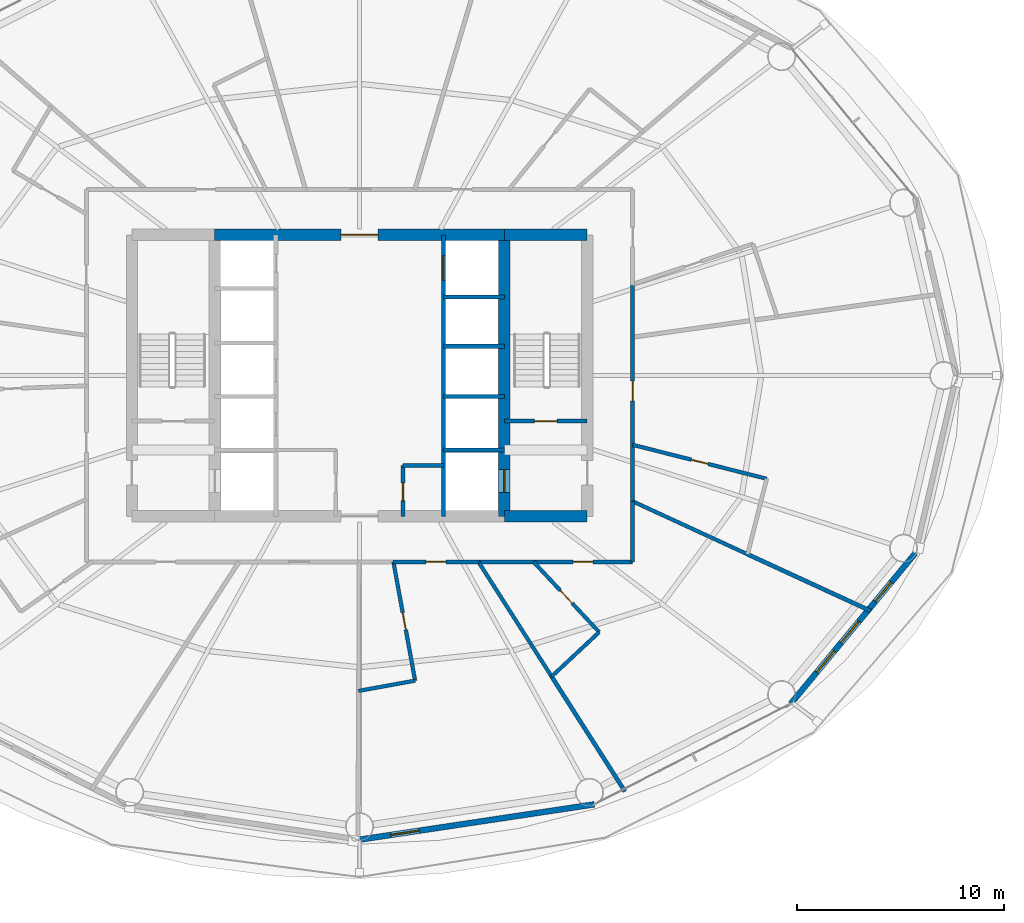
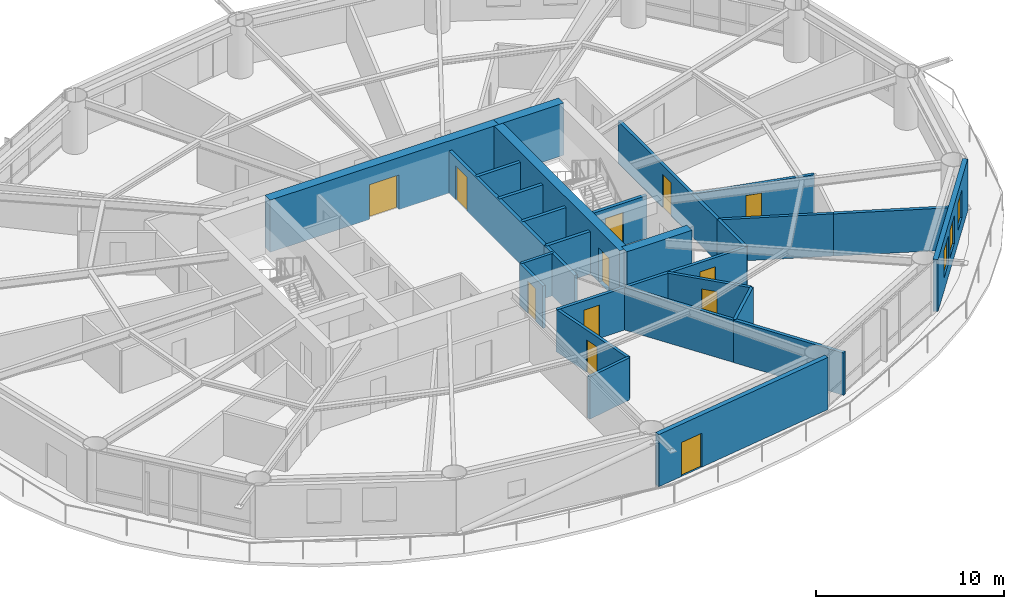
# One storey, part 19 of 24: 28 walls, 12 doors, 3 windows, 15 openings.
"""IFC4 building model written with IfcOpenShell, lengths in metres."""

from ifc_helpers import new_model, si_unit, direction, frame, frame_2d, origin, place, context, subcontext, project, spatial, rectangle, extrude, material, layer, layer_set, type_object, element, fill, save


model = new_model("IFC4")

# Units and contexts
model_context = context("Model", 3, precision=1e-05, world=origin(), true_north=direction((0.0, 1.0)))
body_context = subcontext(model_context, "Body", "Model", "MODEL_VIEW")
ifc_project = project(units=[si_unit("LENGTHUNIT", "METRE"), si_unit("AREAUNIT", "SQUARE_METRE"), si_unit("VOLUMEUNIT", "CUBIC_METRE"), si_unit("PLANEANGLEUNIT", "RADIAN"), si_unit("MASSUNIT", "GRAM", prefix="KILO")], contexts=[model_context])

# Site, building, storey
site_placement = place(None, origin())
site = spatial("IfcSite", under=ifc_project, at=site_placement, CompositionType="ELEMENT")
building_placement = place(site_placement, origin())
building = spatial("IfcBuilding", under=site, at=building_placement, Name="Sarneth Arch Tower", CompositionType="ELEMENT")
storey_placement = place(building_placement, frame((0.0, 0.0, 120.0)))
storey = spatial("IfcBuildingStorey", under=building, at=storey_placement, Name="L30", CompositionType="ELEMENT", Elevation=120.0)

# Wall
ifc_material_1 = material(Name="Concrete C60/75", Category="concrete")
ifc_layer_1 = layer(ifc_material_1, 0.550048828125)
ifc_layer_set_1 = layer_set([ifc_layer_1], Name="Concrete C60/75")
wall_type_1 = type_object("IfcWallType", Name="WALL-CORE-550", PredefinedType="SHEAR", material=ifc_layer_set_1)
wall_1_placement = place(storey_placement, frame((55.0, 35.199951171875, 0.0), z_axis=(0.0, 0.0, 1.0), x_axis=(1.0, 0.0, 0.0)))
element("IfcWall", 1, at=wall_1_placement, inside=storey, type_object=wall_type_1, Name="L30 Core shear wall S-E", PredefinedType="SHEAR", context=body_context, shape_type="SweptSolid", body=[
    extrude(rectangle(XDim=4.0, YDim=0.550048828125, at=frame_2d((2.0, 0.0))), origin(), (0.0, 0.0, 1.0), 3.3798828125),
])

# Wall, opening, door
wall_2_placement = place(storey_placement, frame((41.0, 48.800048828125, 0.0), z_axis=(0.0, 0.0, 1.0), x_axis=(1.0, 0.0, 0.0)))
wall_2 = element("IfcWall", 2, at=wall_2_placement, inside=storey, type_object=wall_type_1, Name="L30 Core shear wall N-M", PredefinedType="SHEAR", context=body_context, shape_type="SweptSolid", body=[
    extrude(rectangle(XDim=14.0, YDim=0.550048828125, at=frame_2d((7.0, 0.0))), origin(), (0.0, 0.0, 1.0), 3.3798828125),
])
opening_1_placement = place(wall_2_placement, frame((6.10009765625, 0.0, 0.0)))
opening_1 = element("IfcOpeningElement", 3, at=opening_1_placement, cuts=wall_2, Name="Opening FD-01", PredefinedType="OPENING", context=body_context, shape_type="SweptSolid", body=[
    extrude(rectangle(XDim=1.800048828125, YDim=2.25, at=frame_2d((0.89990234375, 1.125))), frame((0.0, 0.284912109375, 0.0), z_axis=(0.0, -1.0, 0.0), x_axis=(1.0, 0.0, 0.0)), (0.0, 0.0, 1.0), 0.570068359375),
])
ifc_material_2 = material(Name="Galvanised Steel S275 fire door set", Category="steel")
door_type_1 = type_object("IfcDoorType", Name="DR-FD90-1800", OperationType="DOUBLE_DOOR_SINGLE_SWING", PredefinedType="DOOR", material=ifc_material_2)
door_1_placement = place(opening_1_placement, origin())
door_1 = element("IfcDoor", 4, at=door_1_placement, inside=storey, type_object=door_type_1, Name="L30 Central lift lobby north door", OperationType="DOUBLE_DOOR_SINGLE_SWING", OverallHeight=2.25, OverallWidth=1.800048828125, PredefinedType="DOOR", context=body_context, shape_type="SweptSolid", body=[
    extrude(rectangle(XDim=1.800048828125, YDim=2.25, at=frame_2d((0.89990234375, 1.125))), frame((0.0, 0.02490234375, 0.0), z_axis=(0.0, -1.0, 0.0), x_axis=(1.0, 0.0, 0.0)), (0.0, 0.0, 1.0), 0.050048828125),
])
fill(opening_1, door_1)

# Wall
wall_3_placement = place(storey_placement, frame((55.0, 48.800048828125, 0.0), z_axis=(0.0, 0.0, 1.0), x_axis=(1.0, 0.0, 0.0)))
element("IfcWall", 5, at=wall_3_placement, inside=storey, type_object=wall_type_1, Name="L30 Core shear wall N-E", PredefinedType="SHEAR", context=body_context, shape_type="SweptSolid", body=[
    extrude(rectangle(XDim=4.0, YDim=0.550048828125, at=frame_2d((2.0, 0.0))), origin(), (0.0, 0.0, 1.0), 3.3798828125),
])

# Wall, opening, door
wall_4_placement = place(storey_placement, frame((55.0, 35.199951171875, 0.0), z_axis=(0.0, 0.0, 1.0), x_axis=(0.0, 1.0, 0.0)))
wall_4 = element("IfcWall", 6, at=wall_4_placement, inside=storey, type_object=wall_type_1, Name="L30 Core shear wall WEB-E", PredefinedType="SHEAR", context=body_context, shape_type="SweptSolid", body=[
    extrude(rectangle(XDim=13.60009765625, YDim=0.550048828125, at=frame_2d((6.800048828125, 0.0))), origin(), (0.0, 0.0, 1.0), 3.3798828125),
])
opening_2_placement = place(wall_4_placement, frame((1.14990234375, 0.0, 0.0)))
opening_2 = element("IfcOpeningElement", 7, at=opening_2_placement, cuts=wall_4, Name="Opening LD-1", PredefinedType="OPENING", context=body_context, shape_type="SweptSolid", body=[
    extrude(rectangle(XDim=1.10009765625, YDim=2.199951171875, at=frame_2d((0.550048828125, 1.10009765625))), frame((0.0, 0.284912109375, 0.0), z_axis=(0.0, -1.0, 0.0), x_axis=(1.0, 0.0, 0.0)), (0.0, 0.0, 1.0), 0.570068359375),
])
ifc_material_3 = material(Name="Brushed Stainless Steel 304 lift landing door", Category="steel")
door_type_2 = type_object("IfcDoorType", Name="DR-LIFT-SLIDE-1100", OperationType="SLIDING_TO_LEFT", PredefinedType="DOOR", material=ifc_material_3)
door_2_placement = place(opening_2_placement, origin())
door_2 = element("IfcDoor", 8, at=door_2_placement, inside=storey, type_object=door_type_2, Name="L30 Firefighting lift landing door FL-2", OperationType="SLIDING_TO_RIGHT", OverallHeight=2.199951171875, OverallWidth=1.10009765625, PredefinedType="DOOR", context=body_context, shape_type="SweptSolid", body=[
    extrude(rectangle(XDim=1.10009765625, YDim=2.199951171875, at=frame_2d((0.550048828125, 1.10009765625))), frame((0.0, 0.02490234375, 0.0), z_axis=(0.0, -1.0, 0.0), x_axis=(1.0, 0.0, 0.0)), (0.0, 0.0, 1.0), 0.050048828125),
])
fill(opening_2, door_2)

ifc_material_4 = material(Name="Double steel-stud corridor fire wall", Category="steel")
ifc_layer_2 = layer(ifc_material_4, 0.18994140625)
ifc_layer_set_2 = layer_set([ifc_layer_2], Name="Double steel-stud corridor fire wall")
wall_type_2 = type_object("IfcWallType", Name="WALL-CORR-190", PredefinedType="PARTITIONING", material=ifc_layer_set_2)
wall_5_placement = place(storey_placement, frame((61.199951171875, 46.450439453125, 0.0), z_axis=(0.0, 0.0, 1.0), x_axis=(0.0, -1.0, 0.0)))
wall_5 = element("IfcWall", 9, at=wall_5_placement, inside=storey, type_object=wall_type_2, Name="L30 Interior partition W-L30-TP-023", PredefinedType="PARTITIONING", context=body_context, shape_type="SweptSolid", body=[
    extrude(rectangle(XDim=10.564453125, YDim=0.18994140625, at=frame_2d((5.2822265625, 0.0))), origin(), (0.0, 0.0, 1.0), 2.739990234375),
])
opening_3_placement = place(wall_5_placement, frame((4.7216796875, 0.0, 0.0)))
opening_3 = element("IfcOpeningElement", 10, at=opening_3_placement, cuts=wall_5, Name="Opening FD-09", PredefinedType="OPENING", context=body_context, shape_type="SweptSolid", body=[
    extrude(rectangle(XDim=0.949951171875, YDim=2.14990234375, at=frame_2d((0.47509765625, 1.074951171875))), frame((0.0, 0.10498046875, 0.0), z_axis=(0.0, -1.0, 0.0), x_axis=(1.0, 0.0, 0.0)), (0.0, 0.0, 1.0), 0.2099609375),
])
ifc_material_5 = material(Name="Hardwood timber hotel entrance fire door", Category="wood")
door_type_3 = type_object("IfcDoorType", Name="DR-FD60-950", OperationType="SINGLE_SWING_RIGHT", PredefinedType="DOOR", material=ifc_material_5)
door_3_placement = place(opening_3_placement, origin())
door_3 = element("IfcDoor", 11, at=door_3_placement, inside=storey, type_object=door_type_3, Name="L30 Interior door DR-L30-KEY-11", OperationType="SINGLE_SWING_LEFT", OverallHeight=2.14990234375, OverallWidth=0.949951171875, PredefinedType="DOOR", context=body_context, shape_type="SweptSolid", body=[
    extrude(rectangle(XDim=0.949951171875, YDim=2.14990234375, at=frame_2d((0.47509765625, 1.074951171875))), frame((0.0, 0.02490234375, 0.0), z_axis=(0.0, -1.0, 0.0), x_axis=(1.0, 0.0, 0.0)), (0.0, 0.0, 1.0), 0.050048828125),
])
fill(opening_3, door_3)

wall_6_placement = place(storey_placement, frame((53.705810546875, 33.0, 0.0), z_axis=(0.0, 0.0, 1.0), x_axis=(1.0, 0.0, 0.0)))
wall_6 = element("IfcWall", 12, at=wall_6_placement, inside=storey, type_object=wall_type_2, Name="L30 Interior partition W-L30-TP-020", PredefinedType="PARTITIONING", context=body_context, shape_type="SweptSolid", body=[
    extrude(rectangle(XDim=7.494140625, YDim=0.18994140625, at=frame_2d((3.7470703125, 0.0))), origin(), (0.0, 0.0, 1.0), 2.739990234375),
])
opening_4_placement = place(wall_6_placement, frame((4.622314453125, 0.0, 0.0)))
opening_4 = element("IfcOpeningElement", 13, at=opening_4_placement, cuts=wall_6, Name="Opening FD-09", PredefinedType="OPENING", context=body_context, shape_type="SweptSolid", body=[
    extrude(rectangle(XDim=0.949951171875, YDim=2.14990234375, at=frame_2d((0.47509765625, 1.074951171875))), frame((0.0, 0.10498046875, 0.0), z_axis=(0.0, -1.0, 0.0), x_axis=(1.0, 0.0, 0.0)), (0.0, 0.0, 1.0), 0.2099609375),
])
door_4_placement = place(opening_4_placement, origin())
door_4 = element("IfcDoor", 14, at=door_4_placement, inside=storey, type_object=door_type_3, Name="L30 Interior door DR-L30-KEY-10", OperationType="SINGLE_SWING_RIGHT", OverallHeight=2.14990234375, OverallWidth=0.949951171875, PredefinedType="DOOR", context=body_context, shape_type="SweptSolid", body=[
    extrude(rectangle(XDim=0.949951171875, YDim=2.14990234375, at=frame_2d((0.47509765625, 1.074951171875))), frame((0.0, 0.02490234375, 0.0), z_axis=(0.0, -1.0, 0.0), x_axis=(1.0, 0.0, 0.0)), (0.0, 0.0, 1.0), 0.050048828125),
])
fill(opening_4, door_4)

wall_7_placement = place(storey_placement, frame((53.78173828125, 33.0, 0.0), z_axis=(0.0, 0.0, 1.0), x_axis=(-1.0, 0.0, 0.0)))
wall_7 = element("IfcWall", 15, at=wall_7_placement, inside=storey, type_object=wall_type_2, Name="L30 Interior partition W-L30-TP-018", PredefinedType="PARTITIONING", context=body_context, shape_type="SweptSolid", body=[
    extrude(rectangle(XDim=4.17578125, YDim=0.18994140625, at=frame_2d((2.087890625, 0.0))), origin(), (0.0, 0.0, 1.0), 2.739990234375),
])
opening_5_placement = place(wall_7_placement, frame((1.61279296875, 0.0, 0.0)))
opening_5 = element("IfcOpeningElement", 16, at=opening_5_placement, cuts=wall_7, Name="Opening FD-09", PredefinedType="OPENING", context=body_context, shape_type="SweptSolid", body=[
    extrude(rectangle(XDim=0.949951171875, YDim=2.14990234375, at=frame_2d((0.47509765625, 1.074951171875))), frame((0.0, 0.10498046875, 0.0), z_axis=(0.0, -1.0, 0.0), x_axis=(1.0, 0.0, 0.0)), (0.0, 0.0, 1.0), 0.2099609375),
])
door_5_placement = place(opening_5_placement, origin())
door_5 = element("IfcDoor", 17, at=door_5_placement, inside=storey, type_object=door_type_3, Name="L30 Interior door DR-L30-KEY-09", OperationType="SINGLE_SWING_RIGHT", OverallHeight=2.14990234375, OverallWidth=0.949951171875, PredefinedType="DOOR", context=body_context, shape_type="SweptSolid", body=[
    extrude(rectangle(XDim=0.949951171875, YDim=2.14990234375, at=frame_2d((0.47509765625, 1.074951171875))), frame((0.0, 0.02490234375, 0.0), z_axis=(0.0, -1.0, 0.0), x_axis=(1.0, 0.0, 0.0)), (0.0, 0.0, 1.0), 0.050048828125),
])
fill(opening_5, door_5)

# Wall
wall_8_placement = place(storey_placement, frame((61.199951171875, 33.0, 0.0), z_axis=(0.0, 0.0, 1.0), x_axis=(0.0, 1.0, 0.0)))
element("IfcWall", 18, at=wall_8_placement, inside=storey, type_object=wall_type_2, Name="L30 Interior partition W-L30-TP-021", PredefinedType="PARTITIONING", context=body_context, shape_type="SweptSolid", body=[
    extrude(rectangle(XDim=2.921142578125, YDim=0.18994140625, at=frame_2d((1.46044921875, 0.0))), origin(), (0.0, 0.0, 1.0), 2.739990234375),
])

# Wall, opening, door
ifc_material_6 = material(Name="Extruded terracotta rainscreen on Concrete C40/50 backing", Category="masonry")
ifc_layer_3 = layer(ifc_material_6, 0.280029296875)
ifc_layer_set_3 = layer_set([ifc_layer_3], Name="Extruded terracotta rainscreen on Concrete C40/50 backing")
wall_type_3 = type_object("IfcWallType", Name="WALL-EXT-TERRA-280", PredefinedType="SOLIDWALL", material=ifc_layer_set_3)
wall_9_placement = place(storey_placement, frame((48.0, 19.570068359375, 0.0), z_axis=(0.0, 0.0, 1.0), x_axis=(0.988877774656, 0.148730450117, 0.0)))
wall_9 = element("IfcWall", 19, at=wall_9_placement, inside=storey, type_object=wall_type_3, Name="L30 Terracotta perimeter wall 13", PredefinedType="SOLIDWALL", context=body_context, shape_type="SweptSolid", body=[
    extrude(rectangle(XDim=11.47900390625, YDim=0.280029296875, at=frame_2d((5.739501953125, 0.0))), origin(), (0.0, 0.0, 1.0), 3.3798828125),
])
opening_6_placement = place(wall_9_placement, frame((1.523681640625, 0.0, 0.0)))
opening_6 = element("IfcOpeningElement", 20, at=opening_6_placement, cuts=wall_9, Name="Opening BD-2", PredefinedType="OPENING", context=body_context, shape_type="SweptSolid", body=[
    extrude(rectangle(XDim=1.39990234375, YDim=2.199951171875, at=frame_2d((0.699951171875, 1.10009765625))), frame((0.0, 0.14990234375, 0.0), z_axis=(0.0, -1.0, 0.0), x_axis=(1.0, 0.0, 0.0)), (0.0, 0.0, 1.0), 0.300048828125),
])
ifc_material_7 = material(Name="Thermally broken Aluminium 6063-T6 and laminated safety glass", Category="aluminium")
door_type_4 = type_object("IfcDoorType", Name="DR-BALC-GLZ-1400", OperationType="SINGLE_SWING_LEFT", PredefinedType="DOOR", material=ifc_material_7)
door_6_placement = place(opening_6_placement, origin())
door_6 = element("IfcDoor", 21, at=door_6_placement, inside=storey, type_object=door_type_4, Name="L30 Balcony glazed door 13", OperationType="SINGLE_SWING_LEFT", OverallHeight=2.199951171875, OverallWidth=1.39990234375, PredefinedType="DOOR", context=body_context, shape_type="SweptSolid", body=[
    extrude(rectangle(XDim=1.39990234375, YDim=2.199951171875, at=frame_2d((0.699951171875, 1.10009765625))), frame((0.0, 0.02490234375, 0.0), z_axis=(0.0, -1.0, 0.0), x_axis=(1.0, 0.0, 0.0)), (0.0, 0.0, 1.0), 0.050048828125),
])
fill(opening_6, door_6)

# Wall, openings, windows
wall_10_placement = place(storey_placement, frame((68.840087890625, 26.1396484375, 0.0), z_axis=(0.0, 0.0, 1.0), x_axis=(0.637505817448, 0.770445541696, 0.0)))
wall_10 = element("IfcWall", 22, at=wall_10_placement, inside=storey, type_object=wall_type_3, Name="L30 Terracotta perimeter wall 15", PredefinedType="SOLIDWALL", context=body_context, shape_type="SweptSolid", body=[
    extrude(rectangle(XDim=9.445068359375, YDim=0.280029296875, at=frame_2d((4.72265625, 0.0))), origin(), (0.0, 0.0, 1.0), 3.3798828125),
])
opening_7_placement = place(wall_10_placement, frame((1.963134765625, 0.0, 0.85009765625)))
opening_7 = element("IfcOpeningElement", 23, at=opening_7_placement, cuts=wall_10, Name="Opening W-08", PredefinedType="OPENING", context=body_context, shape_type="SweptSolid", body=[
    extrude(rectangle(XDim=1.35009765625, YDim=1.800048828125, at=frame_2d((0.675048828125, 0.89990234375))), frame((0.0, 0.14990234375, 0.0), z_axis=(0.0, -1.0, 0.0), x_axis=(1.0, 0.0, 0.0)), (0.0, 0.0, 1.0), 0.300048828125),
])
opening_8_placement = place(wall_10_placement, frame((3.81494140625, 0.0, 0.85009765625)))
opening_8 = element("IfcOpeningElement", 24, at=opening_8_placement, cuts=wall_10, Name="Opening W-08", PredefinedType="OPENING", context=body_context, shape_type="SweptSolid", body=[
    extrude(rectangle(XDim=1.35009765625, YDim=1.800048828125, at=frame_2d((0.675048828125, 0.89990234375))), frame((0.0, 0.14990234375, 0.0), z_axis=(0.0, -1.0, 0.0), x_axis=(1.0, 0.0, 0.0)), (0.0, 0.0, 1.0), 0.300048828125),
])
opening_9_placement = place(wall_10_placement, frame((6.4169921875, 0.0, 0.85009765625)))
opening_9 = element("IfcOpeningElement", 25, at=opening_9_placement, cuts=wall_10, Name="Opening W-09", PredefinedType="OPENING", context=body_context, shape_type="SweptSolid", body=[
    extrude(rectangle(XDim=1.199951171875, YDim=1.800048828125, at=frame_2d((0.60009765625, 0.89990234375))), frame((0.0, 0.14990234375, 0.0), z_axis=(0.0, -1.0, 0.0), x_axis=(1.0, 0.0, 0.0)), (0.0, 0.0, 1.0), 0.300048828125),
])
ifc_material_8 = material(Name="Thermally broken Aluminium 6063-T6 and low-e laminated IGU", Category="aluminium")
window_type_1 = type_object("IfcWindowType", Name="WIN-TWR-1200x1800", PartitioningType="SINGLE_PANEL", PredefinedType="WINDOW", material=ifc_material_8)
window_1_placement = place(opening_9_placement, origin())
window_1 = element("IfcWindow", 26, at=window_1_placement, inside=storey, type_object=window_type_1, Name="L30 Exterior window 15C", OverallHeight=1.800048828125, OverallWidth=1.199951171875, PartitioningType="SINGLE_PANEL", PredefinedType="WINDOW", context=body_context, shape_type="SweptSolid", body=[
    extrude(rectangle(XDim=1.199951171875, YDim=1.800048828125, at=frame_2d((0.60009765625, 0.89990234375))), frame((0.0, 0.030029296875, 0.0), z_axis=(0.0, -1.0, 0.0), x_axis=(1.0, 0.0, 0.0)), (0.0, 0.0, 1.0), 0.06005859375),
])
fill(opening_9, window_1)
ifc_material_9 = material(Name="Thermally broken Aluminium 6063-T6 and low-e laminated IGU", Category="aluminium")
window_type_2 = type_object("IfcWindowType", Name="WIN-TWR-1350x1800", PartitioningType="SINGLE_PANEL", PredefinedType="WINDOW", material=ifc_material_9)
window_2_placement = place(opening_7_placement, origin())
window_2 = element("IfcWindow", 27, at=window_2_placement, inside=storey, type_object=window_type_2, Name="L30 Exterior window 15A", OverallHeight=1.800048828125, OverallWidth=1.35009765625, PartitioningType="SINGLE_PANEL", PredefinedType="WINDOW", context=body_context, shape_type="SweptSolid", body=[
    extrude(rectangle(XDim=1.35009765625, YDim=1.800048828125, at=frame_2d((0.675048828125, 0.89990234375))), frame((0.0, 0.030029296875, 0.0), z_axis=(0.0, -1.0, 0.0), x_axis=(1.0, 0.0, 0.0)), (0.0, 0.0, 1.0), 0.06005859375),
])
fill(opening_7, window_2)
window_3_placement = place(opening_8_placement, origin())
window_3 = element("IfcWindow", 28, at=window_3_placement, inside=storey, type_object=window_type_2, Name="L30 Exterior window 15B", OverallHeight=1.800048828125, OverallWidth=1.35009765625, PartitioningType="SINGLE_PANEL", PredefinedType="WINDOW", context=body_context, shape_type="SweptSolid", body=[
    extrude(rectangle(XDim=1.35009765625, YDim=1.800048828125, at=frame_2d((0.675048828125, 0.89990234375))), frame((0.0, 0.030029296875, 0.0), z_axis=(0.0, -1.0, 0.0), x_axis=(1.0, 0.0, 0.0)), (0.0, 0.0, 1.0), 0.06005859375),
])
fill(opening_8, window_3)

# Wall
ifc_material_10 = material(Name="Moisture-resistant plumbing chase wall", Category="gypsum")
ifc_layer_4 = layer(ifc_material_10, 0.179931640625)
ifc_layer_set_4 = layer_set([ifc_layer_4], Name="Moisture-resistant plumbing chase wall")
wall_type_4 = type_object("IfcWallType", Name="WALL-PLUMB-180", PredefinedType="PLUMBINGWALL", material=ifc_layer_set_4)
wall_11_placement = place(storey_placement, frame((50.10009765625, 37.64990234375, 0.0), z_axis=(0.0, 0.0, 1.0), x_axis=(1.0, 0.0, 0.0)))
element("IfcWall", 29, at=wall_11_placement, inside=storey, type_object=wall_type_4, Name="L30 Interior partition W-L30-AWC-N", PredefinedType="PLUMBINGWALL", context=body_context, shape_type="SweptSolid", body=[
    extrude(rectangle(XDim=1.949951171875, YDim=0.179931640625, at=frame_2d((0.97509765625, 0.0))), origin(), (0.0, 0.0, 1.0), 2.739990234375),
])

# Wall, opening, door
wall_12_placement = place(storey_placement, frame((50.10009765625, 35.199951171875, 0.0), z_axis=(0.0, 0.0, 1.0), x_axis=(0.0, 1.0, 0.0)))
wall_12 = element("IfcWall", 30, at=wall_12_placement, inside=storey, type_object=wall_type_4, Name="L30 Interior partition W-L30-AWC-W", PredefinedType="PLUMBINGWALL", context=body_context, shape_type="SweptSolid", body=[
    extrude(rectangle(XDim=2.449951171875, YDim=0.179931640625, at=frame_2d((1.22509765625, 0.0))), origin(), (0.0, 0.0, 1.0), 2.739990234375),
])
opening_10_placement = place(wall_12_placement, frame((0.75, 0.0, 0.0)))
opening_10 = element("IfcOpeningElement", 31, at=opening_10_placement, cuts=wall_12, Name="Opening ID-02", PredefinedType="OPENING", context=body_context, shape_type="SweptSolid", body=[
    extrude(rectangle(XDim=0.85009765625, YDim=2.10009765625, at=frame_2d((0.425048828125, 1.050048828125))), frame((0.0, 0.099853515625, 0.0), z_axis=(0.0, -1.0, 0.0), x_axis=(1.0, 0.0, 0.0)), (0.0, 0.0, 1.0), 0.199951171875),
])
ifc_material_11 = material(Name="Moisture-resistant bathroom timber door", Category="wood")
door_type_5 = type_object("IfcDoorType", Name="DR-INT-850", OperationType="SINGLE_SWING_RIGHT", PredefinedType="DOOR", material=ifc_material_11)
door_7_placement = place(opening_10_placement, origin())
door_7 = element("IfcDoor", 32, at=door_7_placement, inside=storey, type_object=door_type_5, Name="L30 Interior door DR-L30-AWC", OperationType="SINGLE_SWING_RIGHT", OverallHeight=2.10009765625, OverallWidth=0.85009765625, PredefinedType="DOOR", context=body_context, shape_type="SweptSolid", body=[
    extrude(rectangle(XDim=0.85009765625, YDim=2.10009765625, at=frame_2d((0.425048828125, 1.050048828125))), frame((0.0, 0.02490234375, 0.0), z_axis=(0.0, -1.0, 0.0), x_axis=(1.0, 0.0, 0.0)), (0.0, 0.0, 1.0), 0.050048828125),
])
fill(opening_10, door_7)

wall_13_placement = place(storey_placement, frame((61.199951171875, 38.6533203125, 0.0), z_axis=(0.0, 0.0, 1.0), x_axis=(0.96932048276, -0.24580032893, 0.0)))
wall_13 = element("IfcWall", 33, at=wall_13_placement, inside=storey, type_object=wall_type_4, Name="L30 Interior partition W-L30-TP-061", PredefinedType="PLUMBINGWALL", context=body_context, shape_type="SweptSolid", body=[
    extrude(rectangle(XDim=6.68359375, YDim=0.179931640625, at=frame_2d((3.341796875, 0.0))), origin(), (0.0, 0.0, 1.0), 2.739990234375),
])
opening_11_placement = place(wall_13_placement, frame((2.916748046875, 0.0, 0.0)))
opening_11 = element("IfcOpeningElement", 34, at=opening_11_placement, cuts=wall_13, Name="Opening ID-02", PredefinedType="OPENING", context=body_context, shape_type="SweptSolid", body=[
    extrude(rectangle(XDim=0.85009765625, YDim=2.10009765625, at=frame_2d((0.425048828125, 1.050048828125))), frame((0.0, 0.099853515625, 0.0), z_axis=(0.0, -1.0, 0.0), x_axis=(1.0, 0.0, 0.0)), (0.0, 0.0, 1.0), 0.199951171875),
])
door_8_placement = place(opening_11_placement, origin())
door_8 = element("IfcDoor", 35, at=door_8_placement, inside=storey, type_object=door_type_5, Name="L30 Interior door DR-L30-ENS-11", OperationType="SINGLE_SWING_LEFT", OverallHeight=2.10009765625, OverallWidth=0.85009765625, PredefinedType="DOOR", context=body_context, shape_type="SweptSolid", body=[
    extrude(rectangle(XDim=0.85009765625, YDim=2.10009765625, at=frame_2d((0.425048828125, 1.050048828125))), frame((0.0, 0.02490234375, 0.0), z_axis=(0.0, -1.0, 0.0), x_axis=(1.0, 0.0, 0.0)), (0.0, 0.0, 1.0), 0.050048828125),
])
fill(opening_11, door_8)

# Walls
wall_14_placement = place(storey_placement, frame((57.282958984375, 27.454345703125, 0.0), z_axis=(0.0, 0.0, 1.0), x_axis=(-0.537984400251, 0.842954794213, 0.0)))
element("IfcWall", 36, at=wall_14_placement, inside=storey, type_object=wall_type_4, Name="L30 Interior partition W-L30-TP-056", PredefinedType="PLUMBINGWALL", context=body_context, shape_type="SweptSolid", body=[
    extrude(rectangle(XDim=6.578857421875, YDim=0.179931640625, at=frame_2d((3.28955078125, 0.0))), origin(), (0.0, 0.0, 1.0), 2.739990234375),
])
wall_15_placement = place(storey_placement, frame((66.75390625, 33.36328125, 0.0), z_axis=(0.0, 0.0, 1.0), x_axis=(-0.908301480607, 0.418316172681, 0.0)))
element("IfcWall", 37, at=wall_15_placement, inside=storey, type_object=wall_type_4, Name="L30 Interior partition W-L30-TP-060", PredefinedType="PLUMBINGWALL", context=body_context, shape_type="SweptSolid", body=[
    extrude(rectangle(XDim=6.11474609375, YDim=0.179931640625, at=frame_2d((3.057373046875, 0.0))), origin(), (0.0, 0.0, 1.0), 2.739990234375),
])

# Wall, opening, door
wall_16_placement = place(storey_placement, frame((49.638427734375, 33.0, 0.0), z_axis=(0.0, 0.0, 1.0), x_axis=(0.179135653645, -0.983824383512, 0.0)))
wall_16 = element("IfcWall", 38, at=wall_16_placement, inside=storey, type_object=wall_type_4, Name="L30 Interior partition W-L30-TP-053", PredefinedType="PLUMBINGWALL", context=body_context, shape_type="SweptSolid", body=[
    extrude(rectangle(XDim=5.838623046875, YDim=0.179931640625, at=frame_2d((2.91943359375, 0.0))), origin(), (0.0, 0.0, 1.0), 2.739990234375),
])
opening_12_placement = place(wall_16_placement, frame((2.494384765625, 0.0, 0.0)))
opening_12 = element("IfcOpeningElement", 39, at=opening_12_placement, cuts=wall_16, Name="Opening ID-02", PredefinedType="OPENING", context=body_context, shape_type="SweptSolid", body=[
    extrude(rectangle(XDim=0.85009765625, YDim=2.10009765625, at=frame_2d((0.425048828125, 1.050048828125))), frame((0.0, 0.099853515625, 0.0), z_axis=(0.0, -1.0, 0.0), x_axis=(1.0, 0.0, 0.0)), (0.0, 0.0, 1.0), 0.199951171875),
])
door_9_placement = place(opening_12_placement, origin())
door_9 = element("IfcDoor", 40, at=door_9_placement, inside=storey, type_object=door_type_5, Name="L30 Interior door DR-L30-ENS-09", OperationType="SINGLE_SWING_LEFT", OverallHeight=2.10009765625, OverallWidth=0.85009765625, PredefinedType="DOOR", context=body_context, shape_type="SweptSolid", body=[
    extrude(rectangle(XDim=0.85009765625, YDim=2.10009765625, at=frame_2d((0.425048828125, 1.050048828125))), frame((0.0, 0.02490234375, 0.0), z_axis=(0.0, -1.0, 0.0), x_axis=(1.0, 0.0, 0.0)), (0.0, 0.0, 1.0), 0.050048828125),
])
fill(opening_12, door_9)

wall_17_placement = place(storey_placement, frame((56.406005859375, 33.0, 0.0), z_axis=(0.0, 0.0, 1.0), x_axis=(0.682578142961, -0.730812615348, 0.0)))
wall_17 = element("IfcWall", 41, at=wall_17_placement, inside=storey, type_object=wall_type_4, Name="L30 Interior partition W-L30-TP-057", PredefinedType="PLUMBINGWALL", context=body_context, shape_type="SweptSolid", body=[
    extrude(rectangle(XDim=4.651611328125, YDim=0.179931640625, at=frame_2d((2.32568359375, 0.0))), origin(), (0.0, 0.0, 1.0), 2.739990234375),
])
opening_13_placement = place(wall_17_placement, frame((1.900634765625, 0.0, 0.0)))
opening_13 = element("IfcOpeningElement", 42, at=opening_13_placement, cuts=wall_17, Name="Opening ID-02", PredefinedType="OPENING", context=body_context, shape_type="SweptSolid", body=[
    extrude(rectangle(XDim=0.85009765625, YDim=2.10009765625, at=frame_2d((0.425048828125, 1.050048828125))), frame((0.0, 0.099853515625, 0.0), z_axis=(0.0, -1.0, 0.0), x_axis=(1.0, 0.0, 0.0)), (0.0, 0.0, 1.0), 0.199951171875),
])
door_10_placement = place(opening_13_placement, origin())
door_10 = element("IfcDoor", 43, at=door_10_placement, inside=storey, type_object=door_type_5, Name="L30 Interior door DR-L30-ENS-10", OperationType="SINGLE_SWING_LEFT", OverallHeight=2.10009765625, OverallWidth=0.85009765625, PredefinedType="DOOR", context=body_context, shape_type="SweptSolid", body=[
    extrude(rectangle(XDim=0.85009765625, YDim=2.10009765625, at=frame_2d((0.425048828125, 1.050048828125))), frame((0.0, 0.02490234375, 0.0), z_axis=(0.0, -1.0, 0.0), x_axis=(1.0, 0.0, 0.0)), (0.0, 0.0, 1.0), 0.050048828125),
])
fill(opening_13, door_10)

# Walls
wall_18_placement = place(storey_placement, frame((59.5810546875, 29.6005859375, 0.0), z_axis=(0.0, 0.0, 1.0), x_axis=(-0.730840933831, -0.682547822088, 0.0)))
element("IfcWall", 44, at=wall_18_placement, inside=storey, type_object=wall_type_4, Name="L30 Interior partition W-L30-TP-058", PredefinedType="PLUMBINGWALL", context=body_context, shape_type="SweptSolid", body=[
    extrude(rectangle(XDim=3.14453125, YDim=0.179931640625, at=frame_2d((1.572265625, 0.0))), origin(), (0.0, 0.0, 1.0), 2.739990234375),
])
wall_19_placement = place(storey_placement, frame((50.684326171875, 27.255859375, 0.0), z_axis=(0.0, 0.0, 1.0), x_axis=(-0.983824875987, -0.17913294892, 0.0)))
element("IfcWall", 45, at=wall_19_placement, inside=storey, type_object=wall_type_4, Name="L30 Interior partition W-L30-TP-054", PredefinedType="PLUMBINGWALL", context=body_context, shape_type="SweptSolid", body=[
    extrude(rectangle(XDim=2.777587890625, YDim=0.179931640625, at=frame_2d((1.388671875, 0.0))), origin(), (0.0, 0.0, 1.0), 2.739990234375),
])

# Wall, opening, door
ifc_material_12 = material(Name="Aerated concrete blockwork C25/30", Category="masonry")
ifc_layer_5 = layer(ifc_material_12, 0.199951171875)
ifc_layer_set_5 = layer_set([ifc_layer_5], Name="Aerated concrete blockwork C25/30")
wall_type_5 = type_object("IfcWallType", Name="WALL-SHAFT-200", PredefinedType="SOLIDWALL", material=ifc_layer_set_5)
wall_20_placement = place(storey_placement, frame((55.0, 39.800048828125, 0.0), z_axis=(0.0, 0.0, 1.0), x_axis=(1.0, 0.0, 0.0)))
wall_20 = element("IfcWall", 46, at=wall_20_placement, inside=storey, type_object=wall_type_5, Name="L30 Interior partition W-L30-ST2-S", PredefinedType="SOLIDWALL", context=body_context, shape_type="SweptSolid", body=[
    extrude(rectangle(XDim=4.0, YDim=0.199951171875, at=frame_2d((2.0, 0.0))), origin(), (0.0, 0.0, 1.0), 2.739990234375),
])
opening_14_placement = place(wall_20_placement, frame((1.449951171875, 0.0, 0.0)))
opening_14 = element("IfcOpeningElement", 47, at=opening_14_placement, cuts=wall_20, Name="Opening FD-03", PredefinedType="OPENING", context=body_context, shape_type="SweptSolid", body=[
    extrude(rectangle(XDim=1.10009765625, YDim=2.14990234375, at=frame_2d((0.550048828125, 1.074951171875))), frame((0.0, 0.10986328125, 0.0), z_axis=(0.0, -1.0, 0.0), x_axis=(1.0, 0.0, 0.0)), (0.0, 0.0, 1.0), 0.219970703125),
])
ifc_material_13 = material(Name="Galvanised Steel S275 fire door set", Category="steel")
door_type_6 = type_object("IfcDoorType", Name="DR-FD90-1100", OperationType="SINGLE_SWING_LEFT", PredefinedType="DOOR", material=ifc_material_13)
door_11_placement = place(opening_14_placement, origin())
door_11 = element("IfcDoor", 48, at=door_11_placement, inside=storey, type_object=door_type_6, Name="L30 Interior door DR-L30-ST2", OperationType="SINGLE_SWING_RIGHT", OverallHeight=2.14990234375, OverallWidth=1.10009765625, PredefinedType="DOOR", context=body_context, shape_type="SweptSolid", body=[
    extrude(rectangle(XDim=1.10009765625, YDim=2.14990234375, at=frame_2d((0.550048828125, 1.074951171875))), frame((0.0, 0.02490234375, 0.0), z_axis=(0.0, -1.0, 0.0), x_axis=(1.0, 0.0, 0.0)), (0.0, 0.0, 1.0), 0.050048828125),
])
fill(opening_14, door_11)

# Walls
wall_21_placement = place(storey_placement, frame((52.050048828125, 35.199951171875, 0.0), z_axis=(0.0, 0.0, 1.0), x_axis=(0.0, 1.0, 0.0)))
element("IfcWall", 49, at=wall_21_placement, inside=storey, type_object=wall_type_5, Name="L30 Interior partition W-L30-FL2-W", PredefinedType="SOLIDWALL", context=body_context, shape_type="SweptSolid", body=[
    extrude(rectangle(XDim=3.199951171875, YDim=0.199951171875, at=frame_2d((1.60009765625, 0.0))), origin(), (0.0, 0.0, 1.0), 2.739990234375),
])
wall_22_placement = place(storey_placement, frame((52.050048828125, 38.39990234375, 0.0), z_axis=(0.0, 0.0, 1.0), x_axis=(1.0, 0.0, 0.0)))
element("IfcWall", 50, at=wall_22_placement, inside=storey, type_object=wall_type_5, Name="L30 Interior partition W-L30-FL2-N", PredefinedType="SOLIDWALL", context=body_context, shape_type="SweptSolid", body=[
    extrude(rectangle(XDim=2.949951171875, YDim=0.199951171875, at=frame_2d((1.47509765625, 0.0))), origin(), (0.0, 0.0, 1.0), 2.739990234375),
])

# Wall, opening, door
wall_23_placement = place(storey_placement, frame((52.050048828125, 38.39990234375, 0.0), z_axis=(0.0, 0.0, 1.0), x_axis=(0.0, 1.0, 0.0)))
wall_23 = element("IfcWall", 51, at=wall_23_placement, inside=storey, type_object=wall_type_5, Name="L30 Interior partition W-L30-EASTBANK-FRONT", PredefinedType="SOLIDWALL", context=body_context, shape_type="SweptSolid", body=[
    extrude(rectangle(XDim=10.400146484375, YDim=0.199951171875, at=frame_2d((5.2001953125, 0.0))), origin(), (0.0, 0.0, 1.0), 2.739990234375),
])
opening_15_placement = place(wall_23_placement, frame((8.199951171875, 0.0, 0.0)))
opening_15 = element("IfcOpeningElement", 52, at=opening_15_placement, cuts=wall_23, Name="Opening LD-2", PredefinedType="OPENING", context=body_context, shape_type="SweptSolid", body=[
    extrude(rectangle(XDim=1.199951171875, YDim=2.199951171875, at=frame_2d((0.60009765625, 1.10009765625))), frame((0.0, 0.10986328125, 0.0), z_axis=(0.0, -1.0, 0.0), x_axis=(1.0, 0.0, 0.0)), (0.0, 0.0, 1.0), 0.219970703125),
])
ifc_material_14 = material(Name="Brushed Stainless Steel 304 service lift door", Category="steel")
door_type_7 = type_object("IfcDoorType", Name="DR-LIFT-SLIDE-1200", OperationType="SLIDING_TO_RIGHT", PredefinedType="DOOR", material=ifc_material_14)
door_12_placement = place(opening_15_placement, origin())
door_12 = element("IfcDoor", 53, at=door_12_placement, inside=storey, type_object=door_type_7, Name="L30 Lift landing door DR-L30-LD-SL1", OperationType="SLIDING_TO_RIGHT", OverallHeight=2.199951171875, OverallWidth=1.199951171875, PredefinedType="DOOR", context=body_context, shape_type="SweptSolid", body=[
    extrude(rectangle(XDim=1.199951171875, YDim=2.199951171875, at=frame_2d((0.60009765625, 1.10009765625))), frame((0.0, 0.02490234375, 0.0), z_axis=(0.0, -1.0, 0.0), x_axis=(1.0, 0.0, 0.0)), (0.0, 0.0, 1.0), 0.050048828125),
])
fill(opening_15, door_12)

# Walls
for number, where, z_axis, x_axis, name in (
    (54, (52.050048828125, 40.97998046875, 0.0), (0.0, 0.0, 1.0), (1.0, 0.0, 0.0), "L30 Interior partition W-L30-EB-DIV-4098"),
    (55, (52.050048828125, 43.419921875, 0.0), (0.0, 0.0, 1.0), (1.0, 0.0, 0.0), "L30 Interior partition W-L30-EB-DIV-4342"),
    (56, (52.050048828125, 45.800048828125, 0.0), (0.0, 0.0, 1.0), (1.0, 0.0, 0.0), "L30 Interior partition W-L30-EB-DIV-4580"),
):
    element("IfcWall", number, at=place(storey_placement, frame(where, z_axis=z_axis, x_axis=x_axis)), inside=storey, type_object=wall_type_5, Name=name, PredefinedType="SOLIDWALL", context=body_context, shape_type="SweptSolid", body=[
        extrude(rectangle(XDim=2.949951171875, YDim=0.199951171875, at=frame_2d((1.47509765625, 0.0))), origin(), (0.0, 0.0, 1.0), 2.739990234375),
    ])
ifc_material_15 = material(Name="Double steel-stud acoustic drywall", Category="steel")
ifc_layer_6 = layer(ifc_material_15, 0.199951171875)
ifc_layer_set_6 = layer_set([ifc_layer_6], Name="Double steel-stud acoustic drywall")
wall_type_6 = type_object("IfcWallType", Name="WALL-UNIT-200", PredefinedType="PARTITIONING", material=ifc_layer_set_6)
wall_24_placement = place(storey_placement, frame((60.827880859375, 21.899658203125, 0.0), z_axis=(0.0, 0.0, 1.0), x_axis=(-0.537968238966, 0.842965108331, 0.0)))
element("IfcWall", 57, at=wall_24_placement, inside=storey, type_object=wall_type_6, Name="L30 Interior partition W-L30-TP-055", PredefinedType="PARTITIONING", context=body_context, shape_type="SweptSolid", body=[
    extrude(rectangle(XDim=6.58935546875, YDim=0.199951171875, at=frame_2d((3.294677734375, 0.0))), origin(), (0.0, 0.0, 1.0), 2.739990234375),
])
wall_25_placement = place(storey_placement, frame((72.701416015625, 30.624267578125, 0.0), z_axis=(0.0, 0.0, 1.0), x_axis=(-0.9083071886, 0.418303778536, 0.0)))
element("IfcWall", 58, at=wall_25_placement, inside=storey, type_object=wall_type_6, Name="L30 Interior partition W-L30-TP-059", PredefinedType="PARTITIONING", context=body_context, shape_type="SweptSolid", body=[
    extrude(rectangle(XDim=6.5478515625, YDim=0.199951171875, at=frame_2d((3.27392578125, 0.0))), origin(), (0.0, 0.0, 1.0), 2.739990234375),
])

save(model, "model.ifc")
